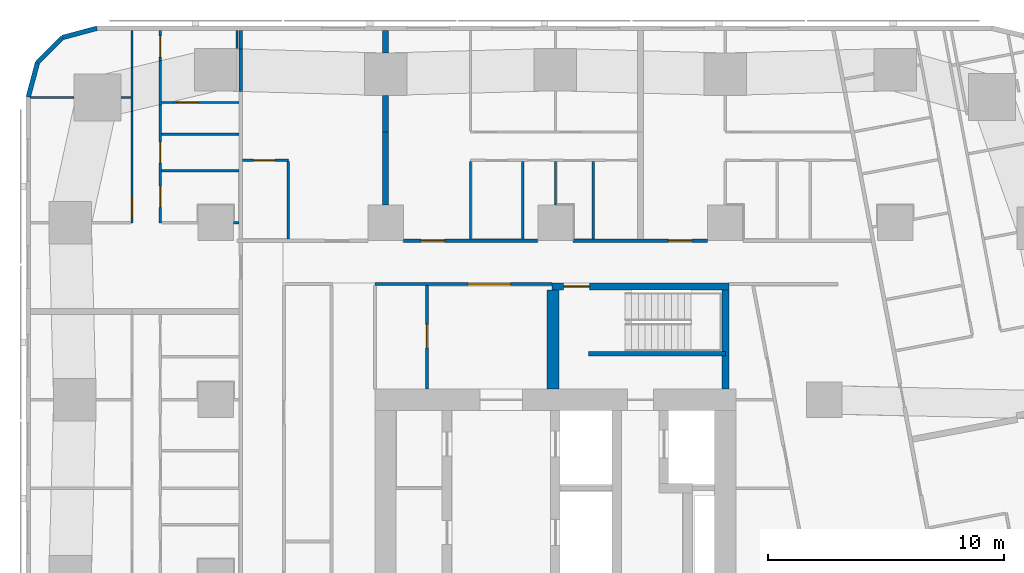
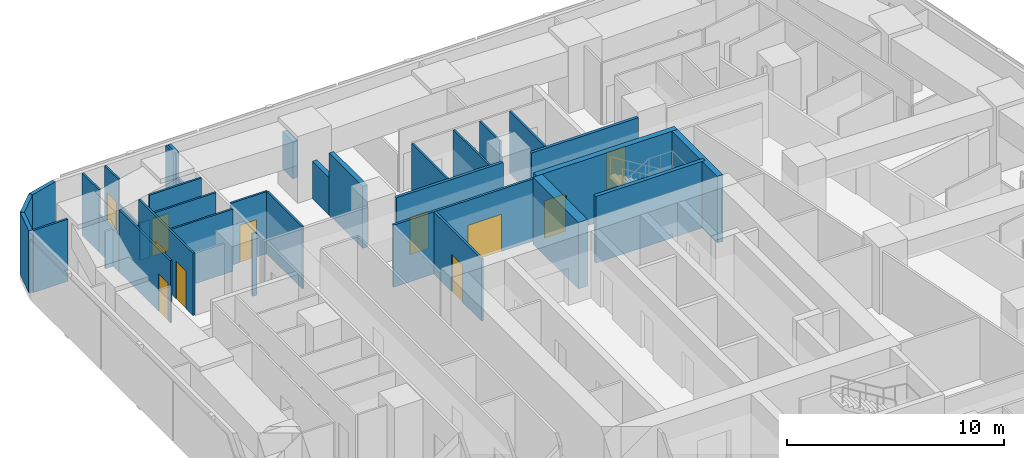
# One storey, part 9 of 15: 36 walls, 11 doors, 11 openings.
"""IFC4 building model written with IfcOpenShell, lengths in metres."""

from ifc_helpers import new_model, si_unit, direction, frame, frame_2d, origin, place, context, subcontext, project, spatial, rectangle, extrude, material, layer, layer_set, type_object, element, fill, save


model = new_model("IFC4")

# Units and contexts
model_context = context("Model", 3, precision=1e-05, world=origin(), true_north=direction((0.0, 1.0)))
body_context = subcontext(model_context, "Body", "Model", "MODEL_VIEW")
ifc_project = project(units=[si_unit("LENGTHUNIT", "METRE"), si_unit("AREAUNIT", "SQUARE_METRE"), si_unit("VOLUMEUNIT", "CUBIC_METRE"), si_unit("PLANEANGLEUNIT", "RADIAN"), si_unit("MASSUNIT", "GRAM", prefix="KILO")], contexts=[model_context])

# Site, building, storey
site_placement = place(None, origin())
site = spatial("IfcSite", under=ifc_project, at=site_placement, CompositionType="ELEMENT")
building_placement = place(site_placement, origin())
building = spatial("IfcBuilding", under=site, at=building_placement, Name="Sheger Commons Tower", CompositionType="ELEMENT")
storey_placement = place(building_placement, frame((0.0, 0.0, 154.550048828125)))
storey = spatial("IfcBuildingStorey", under=building, at=storey_placement, Name="L39", CompositionType="ELEMENT", Elevation=154.550048828125)

# Walls
ifc_material_1 = material(Name="Hollow concrete block masonry, skimmed both sides", Category="masonry")
ifc_layer_1 = layer(ifc_material_1, 0.14990234375)
ifc_layer_set_1 = layer_set([ifc_layer_1], Name="CORRIDOR WALL 150")
wall_type_1 = type_object("IfcWallType", Name="CORRIDOR WALL 150", PredefinedType="SOLIDWALL", material=ifc_layer_set_1)
wall_1_placement = place(storey_placement, frame((8.25, 43.068115234375, 0.0), z_axis=(0.0, 0.0, 1.0), x_axis=(0.0, 1.0, 0.0)))
element("IfcWall", 1, at=wall_1_placement, inside=storey, type_object=wall_type_1, Name="Corridor wall L39", PredefinedType="SOLIDWALL", context=body_context, shape_type="SweptSolid", body=[
    extrude(rectangle(XDim=1.804931640625, YDim=0.14990234375, at=frame_2d((0.90234375, 0.0))), origin(), (0.0, 0.0, 1.0), 2.099853515625),
])
wall_2_placement = place(storey_placement, frame((8.25, 44.873046875, 0.0), z_axis=(0.0, 0.0, 1.0), x_axis=(0.0, 1.0, 0.0)))
element("IfcWall", 2, at=wall_2_placement, inside=storey, type_object=wall_type_1, Name="Corridor wall L39", PredefinedType="SOLIDWALL", context=body_context, shape_type="SweptSolid", body=[
    extrude(rectangle(XDim=0.77685546875, YDim=0.14990234375, at=frame_2d((0.388427734375, 0.0))), origin(), (0.0, 0.0, 1.0), 3.5),
])

# Wall, opening, door
wall_3_placement = place(storey_placement, frame((15.15087890625, 36.75, 0.0), z_axis=(0.0, 0.0, 1.0), x_axis=(1.0, 0.0, 0.0)))
wall_3 = element("IfcWall", 3, at=wall_3_placement, inside=storey, type_object=wall_type_1, Name="Corridor wall L39", PredefinedType="SOLIDWALL", context=body_context, shape_type="SweptSolid", body=[
    extrude(rectangle(XDim=5.6982421875, YDim=0.14990234375, at=frame_2d((2.84912109375, 0.0))), origin(), (0.0, 0.0, 1.0), 3.5),
])
opening_1_placement = place(wall_3_placement, frame((0.7490234375, 0.0, 0.0)))
opening_1 = element("IfcOpeningElement", 4, at=opening_1_placement, cuts=wall_3, Name="Opening D1", PredefinedType="OPENING", context=body_context, shape_type="SweptSolid", body=[
    extrude(rectangle(XDim=1.0, YDim=2.10009765625, at=frame_2d((0.5, 1.050048828125))), frame((0.0, 0.0849609375, 0.0), z_axis=(0.0, -1.0, 0.0), x_axis=(1.0, 0.0, 0.0)), (0.0, 0.0, 1.0), 0.169921875),
])
ifc_material_2 = material(Name="Steel door set, fire rated", Category="steel")
door_type_1 = type_object("IfcDoorType", Name="FLAT ENTRANCE DOOR 1000x2100", OperationType="NOTDEFINED", PredefinedType="DOOR", material=ifc_material_2)
door_1_placement = place(opening_1_placement, origin())
door_1 = element("IfcDoor", 5, at=door_1_placement, inside=storey, type_object=door_type_1, Name="Flat entrance door", OperationType="SINGLE_SWING_LEFT", OverallHeight=2.10009765625, OverallWidth=1.0, PredefinedType="DOOR", context=body_context, shape_type="SweptSolid", body=[
    extrude(rectangle(XDim=1.0, YDim=2.10009765625, at=frame_2d((0.5, 1.050048828125))), frame((0.0, 0.02490234375, 0.0), z_axis=(0.0, -1.0, 0.0), x_axis=(1.0, 0.0, 0.0)), (0.0, 0.0, 1.0), 0.050048828125),
])
fill(opening_1, door_1)

wall_4_placement = place(storey_placement, frame((22.35107421875, 36.75, 0.0), z_axis=(0.0, 0.0, 1.0), x_axis=(1.0, 0.0, 0.0)))
wall_4 = element("IfcWall", 6, at=wall_4_placement, inside=storey, type_object=wall_type_1, Name="Corridor wall L39", PredefinedType="SOLIDWALL", context=body_context, shape_type="SweptSolid", body=[
    extrude(rectangle(XDim=5.697998046875, YDim=0.14990234375, at=frame_2d((2.84912109375, 0.0))), origin(), (0.0, 0.0, 1.0), 3.5),
])
opening_2_placement = place(wall_4_placement, frame((4.031982421875, 0.0, 0.0)))
opening_2 = element("IfcOpeningElement", 7, at=opening_2_placement, cuts=wall_4, Name="Opening D1", PredefinedType="OPENING", context=body_context, shape_type="SweptSolid", body=[
    extrude(rectangle(XDim=1.0, YDim=2.10009765625, at=frame_2d((0.5, 1.050048828125))), frame((0.0, 0.0849609375, 0.0), z_axis=(0.0, -1.0, 0.0), x_axis=(1.0, 0.0, 0.0)), (0.0, 0.0, 1.0), 0.169921875),
])
door_2_placement = place(opening_2_placement, origin())
door_2 = element("IfcDoor", 8, at=door_2_placement, inside=storey, type_object=door_type_1, Name="Flat entrance door", OperationType="SINGLE_SWING_RIGHT", OverallHeight=2.10009765625, OverallWidth=1.0, PredefinedType="DOOR", context=body_context, shape_type="SweptSolid", body=[
    extrude(rectangle(XDim=1.0, YDim=2.10009765625, at=frame_2d((0.5, 1.050048828125))), frame((0.0, 0.02490234375, 0.0), z_axis=(0.0, -1.0, 0.0), x_axis=(1.0, 0.0, 0.0)), (0.0, 0.0, 1.0), 0.050048828125),
])
fill(opening_2, door_2)

# Walls
ifc_material_3 = material(Name="Dense concrete block masonry, plastered both sides (separating wall between flats)", Category="masonry")
ifc_layer_2 = layer(ifc_material_3, 0.25)
ifc_layer_set_2 = layer_set([ifc_layer_2], Name="DEMISING WALL 250")
wall_type_2 = type_object("IfcWallType", Name="DEMISING WALL 250", PredefinedType="SOLIDWALL", material=ifc_layer_set_2)
wall_5_placement = place(storey_placement, frame((14.39990234375, 41.35009765625, 0.0), z_axis=(0.0, 0.0, 1.0), x_axis=(0.0, 1.0, 0.0)))
element("IfcWall", 9, at=wall_5_placement, inside=storey, type_object=wall_type_2, Name="Demising wall L39", PredefinedType="SOLIDWALL", context=body_context, shape_type="SweptSolid", body=[
    extrude(rectangle(XDim=1.548828125, YDim=0.25, at=frame_2d((0.7744140625, 0.0))), origin(), (0.0, 0.0, 1.0), 2.099853515625),
])
wall_6_placement = place(storey_placement, frame((14.39990234375, 44.700927734375, 0.0), z_axis=(0.0, 0.0, 1.0), x_axis=(0.0, 1.0, 0.0)))
element("IfcWall", 10, at=wall_6_placement, inside=storey, type_object=wall_type_2, Name="Demising wall L39", PredefinedType="SOLIDWALL", context=body_context, shape_type="SweptSolid", body=[
    extrude(rectangle(XDim=0.948974609375, YDim=0.25, at=frame_2d((0.474609375, 0.0))), origin(), (0.0, 0.0, 1.0), 2.099853515625),
])
wall_7_placement = place(storey_placement, frame((14.39990234375, 38.2509765625, 0.0), z_axis=(0.0, 0.0, 1.0), x_axis=(0.0, 1.0, 0.0)))
element("IfcWall", 11, at=wall_7_placement, inside=storey, type_object=wall_type_2, Name="Demising wall L39", PredefinedType="SOLIDWALL", context=body_context, shape_type="SweptSolid", body=[
    extrude(rectangle(XDim=3.09912109375, YDim=0.25, at=frame_2d((1.549560546875, 0.0))), origin(), (0.0, 0.0, 1.0), 3.5),
])
ifc_material_4 = material(Name="Rendered concrete block masonry, dark grey", Category="masonry")
ifc_layer_3 = layer(ifc_material_4, 0.199951171875)
ifc_layer_set_3 = layer_set([ifc_layer_3], Name="FACADE WALL 200")
wall_type_3 = type_object("IfcWallType", Name="FACADE WALL 200", PredefinedType="SOLIDWALL", material=ifc_layer_set_3)
wall_8_placement = place(storey_placement, frame((2.1630859375, 45.75, 0.0), z_axis=(0.0, 0.0, 1.0), x_axis=(-0.965832000415, -0.259168954497, 0.0)))
element("IfcWall", 12, at=wall_8_placement, inside=storey, type_object=wall_type_3, Name="Facade wall L39", PredefinedType="SOLIDWALL", context=body_context, shape_type="SweptSolid", body=[
    extrude(rectangle(XDim=1.512939453125, YDim=0.199951171875, at=frame_2d((0.75634765625, 0.0))), origin(), (0.0, 0.0, 1.0), 3.5),
])
wall_9_placement = place(storey_placement, frame((0.701904296875, 45.35791015625, 0.0), z_axis=(0.0, 0.0, 1.0), x_axis=(-0.707106781187, -0.707106781187, 0.0)))
element("IfcWall", 13, at=wall_9_placement, inside=storey, type_object=wall_type_3, Name="Facade wall L39", PredefinedType="SOLIDWALL", context=body_context, shape_type="SweptSolid", body=[
    extrude(rectangle(XDim=1.498779296875, YDim=0.199951171875, at=frame_2d((0.74951171875, 0.0))), origin(), (0.0, 0.0, 1.0), 3.5),
])
wall_10_placement = place(storey_placement, frame((-0.35791015625, 44.298095703125, 0.0), z_axis=(0.0, 0.0, 1.0), x_axis=(-0.259168954497, -0.965832000415, 0.0)))
element("IfcWall", 14, at=wall_10_placement, inside=storey, type_object=wall_type_3, Name="Facade wall L39", PredefinedType="SOLIDWALL", context=body_context, shape_type="SweptSolid", body=[
    extrude(rectangle(XDim=1.512939453125, YDim=0.199951171875, at=frame_2d((0.75634765625, 0.0))), origin(), (0.0, 0.0, 1.0), 3.5),
])
ifc_material_5 = material(Name="Gypsum board on steel studs", Category="steel")
ifc_layer_4 = layer(ifc_material_5, 0.10009765625)
ifc_layer_set_4 = layer_set([ifc_layer_4], Name="PARTITION 100")
wall_type_4 = type_object("IfcWallType", Name="PARTITION 100", PredefinedType="PARTITIONING", material=ifc_layer_set_4)
wall_11_placement = place(storey_placement, frame((8.10009765625, 45.64990234375, 0.0), z_axis=(0.0, 0.0, 1.0), x_axis=(0.0, -1.0, 0.0)))
element("IfcWall", 15, at=wall_11_placement, inside=storey, type_object=wall_type_4, Name="Partition L39", PredefinedType="PARTITIONING", context=body_context, shape_type="SweptSolid", body=[
    extrude(rectangle(XDim=0.7490234375, YDim=0.10009765625, at=frame_2d((0.37451171875, 0.0))), origin(), (0.0, 0.0, 1.0), 3.5),
])

# Wall, opening, door
wall_12_placement = place(storey_placement, frame((3.64990234375, 37.5, 0.0), z_axis=(0.0, 0.0, 1.0), x_axis=(0.0, 1.0, 0.0)))
wall_12 = element("IfcWall", 16, at=wall_12_placement, inside=storey, type_object=wall_type_4, Name="Partition L39", PredefinedType="PARTITIONING", context=body_context, shape_type="SweptSolid", body=[
    extrude(rectangle(XDim=4.72412109375, YDim=0.10009765625, at=frame_2d((2.362060546875, 0.0))), origin(), (0.0, 0.0, 1.0), 3.5),
])
opening_3_placement = place(wall_12_placement, frame((0.199951171875, 0.0, 0.0)))
opening_3 = element("IfcOpeningElement", 17, at=opening_3_placement, cuts=wall_12, Name="Opening D2", PredefinedType="OPENING", context=body_context, shape_type="SweptSolid", body=[
    extrude(rectangle(XDim=0.89990234375, YDim=2.10009765625, at=frame_2d((0.449951171875, 1.050048828125))), frame((0.0, 0.06005859375, 0.0), z_axis=(0.0, -1.0, 0.0), x_axis=(1.0, 0.0, 0.0)), (0.0, 0.0, 1.0), 0.1201171875),
])
ifc_material_6 = material(Name="Timber door set", Category="wood")
door_type_2 = type_object("IfcDoorType", Name="INTERNAL DOOR 900x2100", OperationType="NOTDEFINED", PredefinedType="DOOR", material=ifc_material_6)
door_3_placement = place(opening_3_placement, origin())
door_3 = element("IfcDoor", 18, at=door_3_placement, inside=storey, type_object=door_type_2, Name="Main bedroom door", OperationType="SINGLE_SWING_LEFT", OverallHeight=2.10009765625, OverallWidth=0.89990234375, PredefinedType="DOOR", context=body_context, shape_type="SweptSolid", body=[
    extrude(rectangle(XDim=0.89990234375, YDim=2.10009765625, at=frame_2d((0.449951171875, 1.050048828125))), frame((0.0, 0.02490234375, 0.0), z_axis=(0.0, -1.0, 0.0), x_axis=(1.0, 0.0, 0.0)), (0.0, 0.0, 1.0), 0.050048828125),
])
fill(opening_3, door_3)

# Walls
wall_13_placement = place(storey_placement, frame((3.64990234375, 42.22412109375, 0.0), z_axis=(0.0, 0.0, 1.0), x_axis=(0.0, 1.0, 0.0)))
element("IfcWall", 19, at=wall_13_placement, inside=storey, type_object=wall_type_4, Name="Partition L39", PredefinedType="PARTITIONING", context=body_context, shape_type="SweptSolid", body=[
    extrude(rectangle(XDim=1.872802734375, YDim=0.10009765625, at=frame_2d((0.9365234375, 0.0))), origin(), (0.0, 0.0, 1.0), 2.099853515625),
])
wall_14_placement = place(storey_placement, frame((3.64990234375, 44.096923828125, 0.0), z_axis=(0.0, 0.0, 1.0), x_axis=(0.0, 1.0, 0.0)))
element("IfcWall", 20, at=wall_14_placement, inside=storey, type_object=wall_type_4, Name="Partition L39", PredefinedType="PARTITIONING", context=body_context, shape_type="SweptSolid", body=[
    extrude(rectangle(XDim=1.552978515625, YDim=0.10009765625, at=frame_2d((0.7763671875, 0.0))), origin(), (0.0, 0.0, 1.0), 3.5),
])

# Wall, openings, doors
wall_15_placement = place(storey_placement, frame((4.85009765625, 37.5, 0.0), z_axis=(0.0, 0.0, 1.0), x_axis=(0.0, 1.0, 0.0)))
wall_15 = element("IfcWall", 21, at=wall_15_placement, inside=storey, type_object=wall_type_4, Name="Partition L39", PredefinedType="PARTITIONING", context=body_context, shape_type="SweptSolid", body=[
    extrude(rectangle(XDim=5.007080078125, YDim=0.10009765625, at=frame_2d((2.50341796875, 0.0))), origin(), (0.0, 0.0, 1.0), 3.5),
])
opening_4_placement = place(wall_15_placement, frame((0.655029296875, 0.0, 0.0)))
opening_4 = element("IfcOpeningElement", 22, at=opening_4_placement, cuts=wall_15, Name="Opening D2", PredefinedType="OPENING", context=body_context, shape_type="SweptSolid", body=[
    extrude(rectangle(XDim=0.89990234375, YDim=2.10009765625, at=frame_2d((0.449951171875, 1.050048828125))), frame((0.0, 0.06005859375, 0.0), z_axis=(0.0, -1.0, 0.0), x_axis=(1.0, 0.0, 0.0)), (0.0, 0.0, 1.0), 0.1201171875),
])
opening_5_placement = place(wall_15_placement, frame((2.530029296875, 0.0, 0.0)))
opening_5 = element("IfcOpeningElement", 23, at=opening_5_placement, cuts=wall_15, Name="Opening D2", PredefinedType="OPENING", context=body_context, shape_type="SweptSolid", body=[
    extrude(rectangle(XDim=0.89990234375, YDim=2.10009765625, at=frame_2d((0.449951171875, 1.050048828125))), frame((0.0, 0.06005859375, 0.0), z_axis=(0.0, -1.0, 0.0), x_axis=(1.0, 0.0, 0.0)), (0.0, 0.0, 1.0), 0.1201171875),
])
door_4_placement = place(opening_4_placement, origin())
door_4 = element("IfcDoor", 24, at=door_4_placement, inside=storey, type_object=door_type_2, Name="Bathroom door", OperationType="SINGLE_SWING_RIGHT", OverallHeight=2.10009765625, OverallWidth=0.89990234375, PredefinedType="DOOR", context=body_context, shape_type="SweptSolid", body=[
    extrude(rectangle(XDim=0.89990234375, YDim=2.10009765625, at=frame_2d((0.449951171875, 1.050048828125))), frame((0.0, 0.02490234375, 0.0), z_axis=(0.0, -1.0, 0.0), x_axis=(1.0, 0.0, 0.0)), (0.0, 0.0, 1.0), 0.050048828125),
])
fill(opening_4, door_4)
door_5_placement = place(opening_5_placement, origin())
door_5 = element("IfcDoor", 25, at=door_5_placement, inside=storey, type_object=door_type_2, Name="Store door", OperationType="SINGLE_SWING_RIGHT", OverallHeight=2.10009765625, OverallWidth=0.89990234375, PredefinedType="DOOR", context=body_context, shape_type="SweptSolid", body=[
    extrude(rectangle(XDim=0.89990234375, YDim=2.10009765625, at=frame_2d((0.449951171875, 1.050048828125))), frame((0.0, 0.02490234375, 0.0), z_axis=(0.0, -1.0, 0.0), x_axis=(1.0, 0.0, 0.0)), (0.0, 0.0, 1.0), 0.050048828125),
])
fill(opening_5, door_5)

# Wall
wall_16_placement = place(storey_placement, frame((4.85009765625, 42.507080078125, 0.0), z_axis=(0.0, 0.0, 1.0), x_axis=(0.0, 1.0, 0.0)))
element("IfcWall", 26, at=wall_16_placement, inside=storey, type_object=wall_type_4, Name="Partition L39", PredefinedType="PARTITIONING", context=body_context, shape_type="SweptSolid", body=[
    extrude(rectangle(XDim=1.8740234375, YDim=0.10009765625, at=frame_2d((0.93701171875, 0.0))), origin(), (0.0, 0.0, 1.0), 2.099853515625),
])

# Wall, opening, door
wall_17_placement = place(storey_placement, frame((4.85009765625, 44.381103515625, 0.0), z_axis=(0.0, 0.0, 1.0), x_axis=(0.0, 1.0, 0.0)))
wall_17 = element("IfcWall", 27, at=wall_17_placement, inside=storey, type_object=wall_type_4, Name="Partition L39", PredefinedType="PARTITIONING", context=body_context, shape_type="SweptSolid", body=[
    extrude(rectangle(XDim=1.268798828125, YDim=0.10009765625, at=frame_2d((0.63427734375, 0.0))), origin(), (0.0, 0.0, 1.0), 3.5),
])
opening_6_placement = place(wall_17_placement, frame((0.14990234375, 0.0, 0.0)))
opening_6 = element("IfcOpeningElement", 28, at=opening_6_placement, cuts=wall_17, Name="Opening D2", PredefinedType="OPENING", context=body_context, shape_type="SweptSolid", body=[
    extrude(rectangle(XDim=0.89990234375, YDim=2.10009765625, at=frame_2d((0.449951171875, 1.050048828125))), frame((0.0, 0.06005859375, 0.0), z_axis=(0.0, -1.0, 0.0), x_axis=(1.0, 0.0, 0.0)), (0.0, 0.0, 1.0), 0.1201171875),
])
door_6_placement = place(opening_6_placement, origin())
door_6 = element("IfcDoor", 29, at=door_6_placement, inside=storey, type_object=door_type_2, Name="Store and laundry door", OperationType="SINGLE_SWING_RIGHT", OverallHeight=2.10009765625, OverallWidth=0.89990234375, PredefinedType="DOOR", context=body_context, shape_type="SweptSolid", body=[
    extrude(rectangle(XDim=0.89990234375, YDim=2.10009765625, at=frame_2d((0.449951171875, 1.050048828125))), frame((0.0, 0.02490234375, 0.0), z_axis=(0.0, -1.0, 0.0), x_axis=(1.0, 0.0, 0.0)), (0.0, 0.0, 1.0), 0.050048828125),
])
fill(opening_6, door_6)

# Walls
wall_18_placement = place(storey_placement, frame((-0.64990234375, 42.81396484375, 0.0), z_axis=(0.0, 0.0, 1.0), x_axis=(1.0, 0.0, 0.0)))
element("IfcWall", 30, at=wall_18_placement, inside=storey, type_object=wall_type_4, Name="Partition L39", PredefinedType="PARTITIONING", context=body_context, shape_type="SweptSolid", body=[
    extrude(rectangle(XDim=1.8349609375, YDim=0.10009765625, at=frame_2d((0.91748046875, 0.0))), origin(), (0.0, 0.0, 1.0), 3.5),
])
wall_19_placement = place(storey_placement, frame((3.18701171875, 42.81396484375, 0.0), z_axis=(0.0, 0.0, 1.0), x_axis=(1.0, 0.0, 0.0)))
element("IfcWall", 31, at=wall_19_placement, inside=storey, type_object=wall_type_4, Name="Partition L39", PredefinedType="PARTITIONING", context=body_context, shape_type="SweptSolid", body=[
    extrude(rectangle(XDim=0.4130859375, YDim=0.10009765625, at=frame_2d((0.20654296875, 0.0))), origin(), (0.0, 0.0, 1.0), 2.099853515625),
])
wall_20_placement = place(storey_placement, frame((7.950927734375, 37.5, 0.0), z_axis=(0.0, 0.0, 1.0), x_axis=(1.0, 0.0, 0.0)))
element("IfcWall", 32, at=wall_20_placement, inside=storey, type_object=wall_type_4, Name="Partition L39", PredefinedType="PARTITIONING", context=body_context, shape_type="SweptSolid", body=[
    extrude(rectangle(XDim=0.22412109375, YDim=0.10009765625, at=frame_2d((0.112060546875, 0.0))), origin(), (0.0, 0.0, 1.0), 3.5),
])
for number, where, z_axis, x_axis, name in (
    (33, (4.89990234375, 41.25, 0.0), (0.0, 0.0, 1.0), (1.0, 0.0, 0.0), "Partition L39"),
    (34, (4.89990234375, 39.7099609375, 0.0), (0.0, 0.0, 1.0), (1.0, 0.0, 0.0), "Partition L39"),
):
    element("IfcWall", number, at=place(storey_placement, frame(where, z_axis=z_axis, x_axis=x_axis)), inside=storey, type_object=wall_type_4, Name=name, PredefinedType="PARTITIONING", context=body_context, shape_type="SweptSolid", body=[
        extrude(rectangle(XDim=3.275146484375, YDim=0.10009765625, at=frame_2d((1.6376953125, 0.0))), origin(), (0.0, 0.0, 1.0), 3.5),
    ])

# Wall, opening, door
wall_21_placement = place(storey_placement, frame((8.324951171875, 40.14990234375, 0.0), z_axis=(0.0, 0.0, 1.0), x_axis=(1.0, 0.0, 0.0)))
wall_21 = element("IfcWall", 35, at=wall_21_placement, inside=storey, type_object=wall_type_4, Name="Partition L39", PredefinedType="PARTITIONING", context=body_context, shape_type="SweptSolid", body=[
    extrude(rectangle(XDim=1.9541015625, YDim=0.10009765625, at=frame_2d((0.97705078125, 0.0))), origin(), (0.0, 0.0, 1.0), 3.5),
])
opening_7_placement = place(wall_21_placement, frame((0.47509765625, 0.0, 0.0)))
opening_7 = element("IfcOpeningElement", 36, at=opening_7_placement, cuts=wall_21, Name="Opening D2", PredefinedType="OPENING", context=body_context, shape_type="SweptSolid", body=[
    extrude(rectangle(XDim=0.89990234375, YDim=2.10009765625, at=frame_2d((0.449951171875, 1.050048828125))), frame((0.0, 0.06005859375, 0.0), z_axis=(0.0, -1.0, 0.0), x_axis=(1.0, 0.0, 0.0)), (0.0, 0.0, 1.0), 0.1201171875),
])
door_7_placement = place(opening_7_placement, origin())
door_7 = element("IfcDoor", 37, at=door_7_placement, inside=storey, type_object=door_type_2, Name="Shower room door", OperationType="SINGLE_SWING_RIGHT", OverallHeight=2.10009765625, OverallWidth=0.89990234375, PredefinedType="DOOR", context=body_context, shape_type="SweptSolid", body=[
    extrude(rectangle(XDim=0.89990234375, YDim=2.10009765625, at=frame_2d((0.449951171875, 1.050048828125))), frame((0.0, 0.02490234375, 0.0), z_axis=(0.0, -1.0, 0.0), x_axis=(1.0, 0.0, 0.0)), (0.0, 0.0, 1.0), 0.050048828125),
])
fill(opening_7, door_7)

# Walls
for number, where, z_axis, x_axis, name in (
    (38, (10.279052734375, 36.824951171875, 0.0), (0.0, 0.0, 1.0), (0.0, 1.0, 0.0), "Partition L39"),
    (39, (18.0, 36.824951171875, 0.0), (0.0, 0.0, 1.0), (0.0, 1.0, 0.0), "Partition L39"),
):
    element("IfcWall", number, at=place(storey_placement, frame(where, z_axis=z_axis, x_axis=x_axis)), inside=storey, type_object=wall_type_4, Name=name, PredefinedType="PARTITIONING", context=body_context, shape_type="SweptSolid", body=[
        extrude(rectangle(XDim=3.275146484375, YDim=0.10009765625, at=frame_2d((1.6376953125, 0.0))), origin(), (0.0, 0.0, 1.0), 3.5),
    ])
wall_22_placement = place(storey_placement, frame((21.60009765625, 38.2509765625, 0.0), z_axis=(0.0, 0.0, 1.0), x_axis=(0.0, 1.0, 0.0)))
element("IfcWall", 40, at=wall_22_placement, inside=storey, type_object=wall_type_4, Name="Partition L39", PredefinedType="PARTITIONING", context=body_context, shape_type="SweptSolid", body=[
    extrude(rectangle(XDim=1.84912109375, YDim=0.10009765625, at=frame_2d((0.924560546875, 0.0))), origin(), (0.0, 0.0, 1.0), 3.5),
])
for number, where, z_axis, x_axis, name in (
    (41, (20.2099609375, 36.824951171875, 0.0), (0.0, 0.0, 1.0), (0.0, 1.0, 0.0), "Partition L39"),
    (42, (23.199951171875, 36.824951171875, 0.0), (0.0, 0.0, 1.0), (0.0, 1.0, 0.0), "Partition L39"),
):
    element("IfcWall", number, at=place(storey_placement, frame(where, z_axis=z_axis, x_axis=x_axis)), inside=storey, type_object=wall_type_4, Name=name, PredefinedType="PARTITIONING", context=body_context, shape_type="SweptSolid", body=[
        extrude(rectangle(XDim=3.275146484375, YDim=0.10009765625, at=frame_2d((1.6376953125, 0.0))), origin(), (0.0, 0.0, 1.0), 3.5),
    ])
wall_23_placement = place(storey_placement, frame((4.89990234375, 42.60009765625, 0.0), z_axis=(0.0, 0.0, 1.0), x_axis=(1.0, 0.0, 0.0)))
element("IfcWall", 43, at=wall_23_placement, inside=storey, type_object=wall_type_4, Name="Partition L39", PredefinedType="PARTITIONING", context=body_context, shape_type="SweptSolid", body=[
    extrude(rectangle(XDim=0.503173828125, YDim=0.10009765625, at=frame_2d((0.25146484375, 0.0))), origin(), (0.0, 0.0, 1.0), 2.099853515625),
])

# Wall, opening, door
wall_24_placement = place(storey_placement, frame((5.403076171875, 42.60009765625, 0.0), z_axis=(0.0, 0.0, 1.0), x_axis=(1.0, 0.0, 0.0)))
wall_24 = element("IfcWall", 44, at=wall_24_placement, inside=storey, type_object=wall_type_4, Name="Partition L39", PredefinedType="PARTITIONING", context=body_context, shape_type="SweptSolid", body=[
    extrude(rectangle(XDim=2.77197265625, YDim=0.10009765625, at=frame_2d((1.385986328125, 0.0))), origin(), (0.0, 0.0, 1.0), 3.5),
])
opening_8_placement = place(wall_24_placement, frame((0.14990234375, 0.0, 0.0)))
opening_8 = element("IfcOpeningElement", 45, at=opening_8_placement, cuts=wall_24, Name="Opening D2", PredefinedType="OPENING", context=body_context, shape_type="SweptSolid", body=[
    extrude(rectangle(XDim=0.89990234375, YDim=2.10009765625, at=frame_2d((0.449951171875, 1.050048828125))), frame((0.0, 0.06005859375, 0.0), z_axis=(0.0, -1.0, 0.0), x_axis=(1.0, 0.0, 0.0)), (0.0, 0.0, 1.0), 0.1201171875),
])
door_8_placement = place(opening_8_placement, origin())
door_8 = element("IfcDoor", 46, at=door_8_placement, inside=storey, type_object=door_type_2, Name="Store door", OperationType="SINGLE_SWING_LEFT", OverallHeight=2.10009765625, OverallWidth=0.89990234375, PredefinedType="DOOR", context=body_context, shape_type="SweptSolid", body=[
    extrude(rectangle(XDim=0.89990234375, YDim=2.10009765625, at=frame_2d((0.449951171875, 1.050048828125))), frame((0.0, 0.02490234375, 0.0), z_axis=(0.0, -1.0, 0.0), x_axis=(1.0, 0.0, 0.0)), (0.0, 0.0, 1.0), 0.050048828125),
])
fill(opening_8, door_8)

ifc_material_7 = material(Name="Gypsum board on steel studs, two layers each side, fire rated", Category="steel")
ifc_layer_5 = layer(ifc_material_7, 0.125)
ifc_layer_set_5 = layer_set([ifc_layer_5], Name="SERVICE WALL 125")
wall_type_5 = type_object("IfcWallType", Name="SERVICE WALL 125", PredefinedType="PARTITIONING", material=ifc_layer_set_5)
wall_25_placement = place(storey_placement, frame((13.949951171875, 34.89990234375, 0.0), z_axis=(0.0, 0.0, 1.0), x_axis=(1.0, 0.0, 0.0)))
wall_25 = element("IfcWall", 47, at=wall_25_placement, inside=storey, type_object=wall_type_5, Name="Service room wall L39", PredefinedType="PARTITIONING", context=body_context, shape_type="SweptSolid", body=[
    extrude(rectangle(XDim=7.5, YDim=0.125, at=frame_2d((3.75, 0.0))), origin(), (0.0, 0.0, 1.0), 3.5),
])
opening_9_placement = place(wall_25_placement, frame((3.949951171875, 0.0, 0.0)))
opening_9 = element("IfcOpeningElement", 48, at=opening_9_placement, cuts=wall_25, Name="Opening D6", PredefinedType="OPENING", context=body_context, shape_type="SweptSolid", body=[
    extrude(rectangle(XDim=1.800048828125, YDim=2.10009765625, at=frame_2d((0.89990234375, 1.050048828125))), frame((0.0, 0.072509765625, 0.0), z_axis=(0.0, -1.0, 0.0), x_axis=(1.0, 0.0, 0.0)), (0.0, 0.0, 1.0), 0.14501953125),
])
ifc_material_8 = material(Name="Steel door set, fire rated", Category="steel")
door_type_3 = type_object("IfcDoorType", Name="LOBBY DOUBLE DOOR 1800x2100", OperationType="DOUBLE_DOOR_SINGLE_SWING", PredefinedType="DOOR", material=ifc_material_8)
door_9_placement = place(opening_9_placement, origin())
door_9 = element("IfcDoor", 49, at=door_9_placement, inside=storey, type_object=door_type_3, Name="Lift lobby north door", OperationType="DOUBLE_DOOR_SINGLE_SWING", OverallHeight=2.10009765625, OverallWidth=1.800048828125, PredefinedType="DOOR", context=body_context, shape_type="SweptSolid", body=[
    extrude(rectangle(XDim=1.800048828125, YDim=2.10009765625, at=frame_2d((0.89990234375, 1.050048828125))), frame((0.0, 0.02490234375, 0.0), z_axis=(0.0, -1.0, 0.0), x_axis=(1.0, 0.0, 0.0)), (0.0, 0.0, 1.0), 0.050048828125),
])
fill(opening_9, door_9)

wall_26_placement = place(storey_placement, frame((16.14990234375, 30.449951171875, 0.0), z_axis=(0.0, 0.0, 1.0), x_axis=(0.0, 1.0, 0.0)))
wall_26 = element("IfcWall", 50, at=wall_26_placement, inside=storey, type_object=wall_type_5, Name="Service room wall L39", PredefinedType="PARTITIONING", context=body_context, shape_type="SweptSolid", body=[
    extrude(rectangle(XDim=4.386962890625, YDim=0.125, at=frame_2d((2.193359375, 0.0))), origin(), (0.0, 0.0, 1.0), 3.5),
])
opening_10_placement = place(wall_26_placement, frame((1.75, 0.0, 0.0)))
opening_10 = element("IfcOpeningElement", 51, at=opening_10_placement, cuts=wall_26, Name="Opening D4", PredefinedType="OPENING", context=body_context, shape_type="SweptSolid", body=[
    extrude(rectangle(XDim=1.0, YDim=2.10009765625, at=frame_2d((0.5, 1.050048828125))), frame((0.0, 0.072509765625, 0.0), z_axis=(0.0, -1.0, 0.0), x_axis=(1.0, 0.0, 0.0)), (0.0, 0.0, 1.0), 0.14501953125),
])
ifc_material_9 = material(Name="Steel door set, fire rated", Category="steel")
door_type_4 = type_object("IfcDoorType", Name="SERVICE DOOR 1000x2100", OperationType="NOTDEFINED", PredefinedType="DOOR", material=ifc_material_9)
door_10_placement = place(opening_10_placement, origin())
door_10 = element("IfcDoor", 52, at=door_10_placement, inside=storey, type_object=door_type_4, Name="Telecom room door", OperationType="SINGLE_SWING_RIGHT", OverallHeight=2.10009765625, OverallWidth=1.0, PredefinedType="DOOR", context=body_context, shape_type="SweptSolid", body=[
    extrude(rectangle(XDim=1.0, YDim=2.10009765625, at=frame_2d((0.5, 1.050048828125))), frame((0.0, 0.02490234375, 0.0), z_axis=(0.0, -1.0, 0.0), x_axis=(1.0, 0.0, 0.0)), (0.0, 0.0, 1.0), 0.050048828125),
])
fill(opening_10, door_10)

ifc_material_10 = material(Name="Concrete C50/60", Category="concrete")
ifc_layer_6 = layer(ifc_material_10, 0.300048828125)
ifc_layer_set_6 = layer_set([ifc_layer_6], Name="STAIR CORE WALL 300")
wall_type_6 = type_object("IfcWallType", Name="STAIR CORE WALL 300", PredefinedType="SHEAR", material=ifc_layer_set_6)
wall_27_placement = place(storey_placement, frame((21.449951171875, 34.800048828125, 0.0), z_axis=(0.0, 0.0, 1.0), x_axis=(1.0, 0.0, 0.0)))
wall_27 = element("IfcWall", 53, at=wall_27_placement, inside=storey, type_object=wall_type_6, Name="STW-L39-S2N", PredefinedType="SHEAR", context=body_context, shape_type="SweptSolid", body=[
    extrude(rectangle(XDim=7.5, YDim=0.300048828125, at=frame_2d((3.75, 0.0))), origin(), (0.0, 0.0, 1.0), 3.75),
])
opening_11_placement = place(wall_27_placement, frame((0.5, 0.0, 0.0)))
opening_11 = element("IfcOpeningElement", 54, at=opening_11_placement, cuts=wall_27, Name="Opening D5", PredefinedType="OPENING", context=body_context, shape_type="SweptSolid", body=[
    extrude(rectangle(XDim=1.10009765625, YDim=2.10009765625, at=frame_2d((0.550048828125, 1.050048828125))), frame((0.0, 0.159912109375, 0.0), z_axis=(0.0, -1.0, 0.0), x_axis=(1.0, 0.0, 0.0)), (0.0, 0.0, 1.0), 0.320068359375),
])
ifc_material_11 = material(Name="Steel door set, fire rated", Category="steel")
door_type_5 = type_object("IfcDoorType", Name="STAIR DOOR 1100x2100", OperationType="NOTDEFINED", PredefinedType="DOOR", material=ifc_material_11)
door_11_placement = place(opening_11_placement, origin())
door_11 = element("IfcDoor", 55, at=door_11_placement, inside=storey, type_object=door_type_5, Name="Stair S2 door", OperationType="SINGLE_SWING_RIGHT", OverallHeight=2.10009765625, OverallWidth=1.10009765625, PredefinedType="DOOR", context=body_context, shape_type="SweptSolid", body=[
    extrude(rectangle(XDim=1.10009765625, YDim=2.10009765625, at=frame_2d((0.550048828125, 1.050048828125))), frame((0.0, 0.02490234375, 0.0), z_axis=(0.0, -1.0, 0.0), x_axis=(1.0, 0.0, 0.0)), (0.0, 0.0, 1.0), 0.050048828125),
])
fill(opening_11, door_11)

# Walls
wall_28_placement = place(storey_placement, frame((28.800048828125, 30.449951171875, 0.0), z_axis=(0.0, 0.0, 1.0), x_axis=(0.0, 1.0, 0.0)))
element("IfcWall", 56, at=wall_28_placement, inside=storey, type_object=wall_type_6, Name="STW-L39-S2E", PredefinedType="SHEAR", context=body_context, shape_type="SweptSolid", body=[
    extrude(rectangle(XDim=4.199951171875, YDim=0.300048828125, at=frame_2d((2.10009765625, 0.0))), origin(), (0.0, 0.0, 1.0), 3.75),
])
ifc_material_12 = material(Name="Concrete C50/60", Category="concrete")
ifc_layer_7 = layer(ifc_material_12, 0.5)
ifc_layer_set_7 = layer_set([ifc_layer_7], Name="STAIR CORE WALL 500")
wall_type_7 = type_object("IfcWallType", Name="STAIR CORE WALL 500", PredefinedType="SHEAR", material=ifc_layer_set_7)
wall_29_placement = place(storey_placement, frame((21.5, 30.449951171875, 0.0), z_axis=(0.0, 0.0, 1.0), x_axis=(0.0, 1.0, 0.0)))
element("IfcWall", 57, at=wall_29_placement, inside=storey, type_object=wall_type_7, Name="STW-L39-S2W", PredefinedType="SHEAR", context=body_context, shape_type="SweptSolid", body=[
    extrude(rectangle(XDim=4.199951171875, YDim=0.5, at=frame_2d((2.10009765625, 0.0))), origin(), (0.0, 0.0, 1.0), 3.75),
])
ifc_material_13 = material(Name="Concrete C50/60", Category="concrete")
ifc_layer_8 = layer(ifc_material_13, 0.199951171875)
ifc_layer_set_8 = layer_set([ifc_layer_8], Name="STAIR SPINE WALL 200")
wall_type_8 = type_object("IfcWallType", Name="STAIR SPINE WALL 200", PredefinedType="SHEAR", material=ifc_layer_set_8)
wall_30_placement = place(storey_placement, frame((23.0, 31.949951171875, 0.0), z_axis=(0.0, 0.0, 1.0), x_axis=(1.0, 0.0, 0.0)))
element("IfcWall", 58, at=wall_30_placement, inside=storey, type_object=wall_type_8, Name="Stair spine wall L39", PredefinedType="SHEAR", context=body_context, shape_type="SweptSolid", body=[
    extrude(rectangle(XDim=5.800048828125, YDim=0.199951171875, at=frame_2d((2.89990234375, 0.0))), origin(), (0.0, 0.0, 1.0), 3.75),
])

save(model, "model.ifc")
